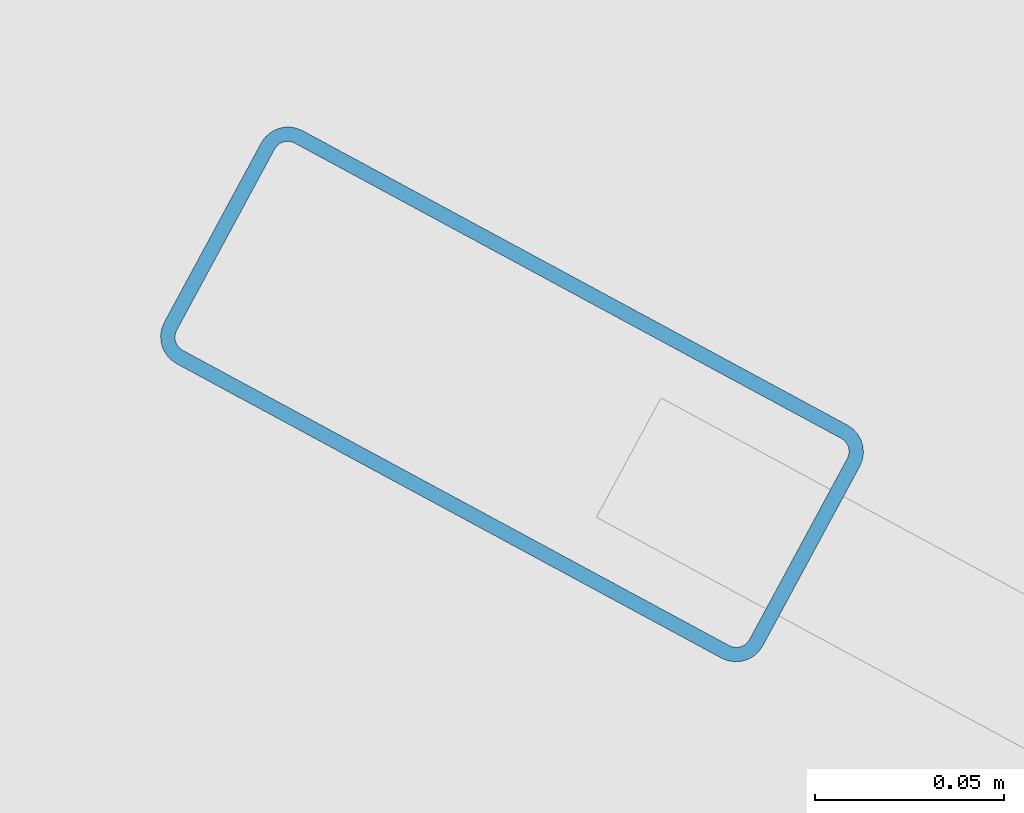
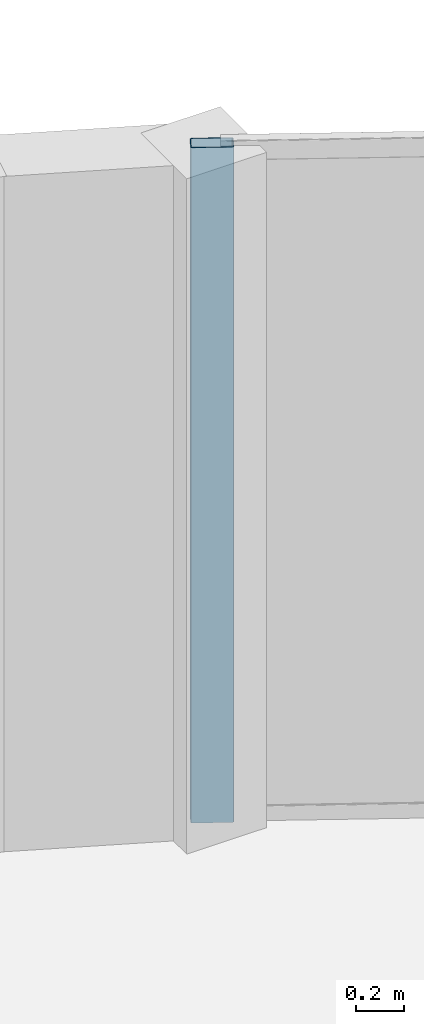
# One storey, part 8 of 15: 1 member, 1 element without a shape of its own.
"""IFC4 building model written with IfcOpenShell, lengths in metres."""

from ifc_helpers import new_model, si_unit, direction, frame, origin, origin_2d, place, context, subcontext, project, spatial, hollow_rectangle, extrude, material, layer, layer_set, material_profile, profile_set, type_object, element, aggregate, save


model = new_model("IFC4")

# Units and contexts
model_context = context("Model", 3, precision=1e-05, world=origin(), true_north=direction((0.0, 1.0)))
body_context = subcontext(model_context, "Body", "Model", "MODEL_VIEW")
ifc_project = project(units=[si_unit("LENGTHUNIT", "METRE"), si_unit("AREAUNIT", "SQUARE_METRE"), si_unit("VOLUMEUNIT", "CUBIC_METRE"), si_unit("PLANEANGLEUNIT", "RADIAN"), si_unit("MASSUNIT", "GRAM", prefix="KILO")], contexts=[model_context])

# Site, building, storey
site_placement = place(None, origin())
site = spatial("IfcSite", under=ifc_project, at=site_placement, CompositionType="ELEMENT")
building_placement = place(site_placement, origin())
building = spatial("IfcBuilding", under=site, at=building_placement, Name="An Khanh Terracotta Commons", CompositionType="ELEMENT")
storey_placement = place(building_placement, frame((0.0, 0.0, 208.5)))
storey = spatial("IfcBuildingStorey", under=building, at=storey_placement, Name="L54", CompositionType="ELEMENT", Elevation=208.5)

# Curtain wall, member
ifc_material = material(Name="Anodised Aluminium 6063-T6", Category="aluminium")
ifc_layer = layer(ifc_material, 0.2099609375, Name="Anodised Aluminium 6063-T6")
ifc_layer_set = layer_set([ifc_layer], Name="Anodised Aluminium 6063-T6")
curtain_wall_type = type_object("IfcCurtainWallType", Name="CW-SYS-03", PredefinedType="USERDEFINED", material=ifc_layer_set)
curtain_wall_placement = place(storey_placement, origin())
curtain_wall = element("IfcCurtainWall", 1, at=curtain_wall_placement, inside=storey, type_object=curtain_wall_type, Name="L54 CW-03 Unitised Curtain Wall CW-L54-16", ObjectType="UNITISED CURTAIN WALL", PredefinedType="USERDEFINED")
ifc_material_profile = material_profile(ifc_material, hollow_rectangle(XDim=0.070068359375, YDim=0.179931640625, WallThickness=0.00390625, InnerFilletRadius=0.00390625, OuterFilletRadius=0.008056640625, at=origin_2d()), Name="RHS180x70x4")
ifc_profile_set = profile_set([ifc_material_profile], Name="Anodised Aluminium 6063-T6")
member_type = type_object("IfcMemberType", Name="CWM-RHS180x70x4", PredefinedType="MULLION", material=ifc_profile_set)
member_placement = place(storey_placement, frame((57.3876953125, 39.058349609375, 0.0), z_axis=(0.0, 0.0, 1.0), x_axis=(-0.47538088298, -0.879780095306, 0.0)))
member = element("IfcMember", 2, at=member_placement, type_object=member_type, Name="CW-03 mullion 5", PredefinedType="MULLION", context=body_context, shape_type="SweptSolid", body=[
    extrude(hollow_rectangle(XDim=0.070068359375, YDim=0.179931640625, WallThickness=0.00390625, InnerFilletRadius=0.00390625, OuterFilletRadius=0.008056640625, at=origin_2d()), origin(), (0.0, 0.0, 1.0), 3.39990234375),
])
aggregate(curtain_wall, [member])

save(model, "model.ifc")
